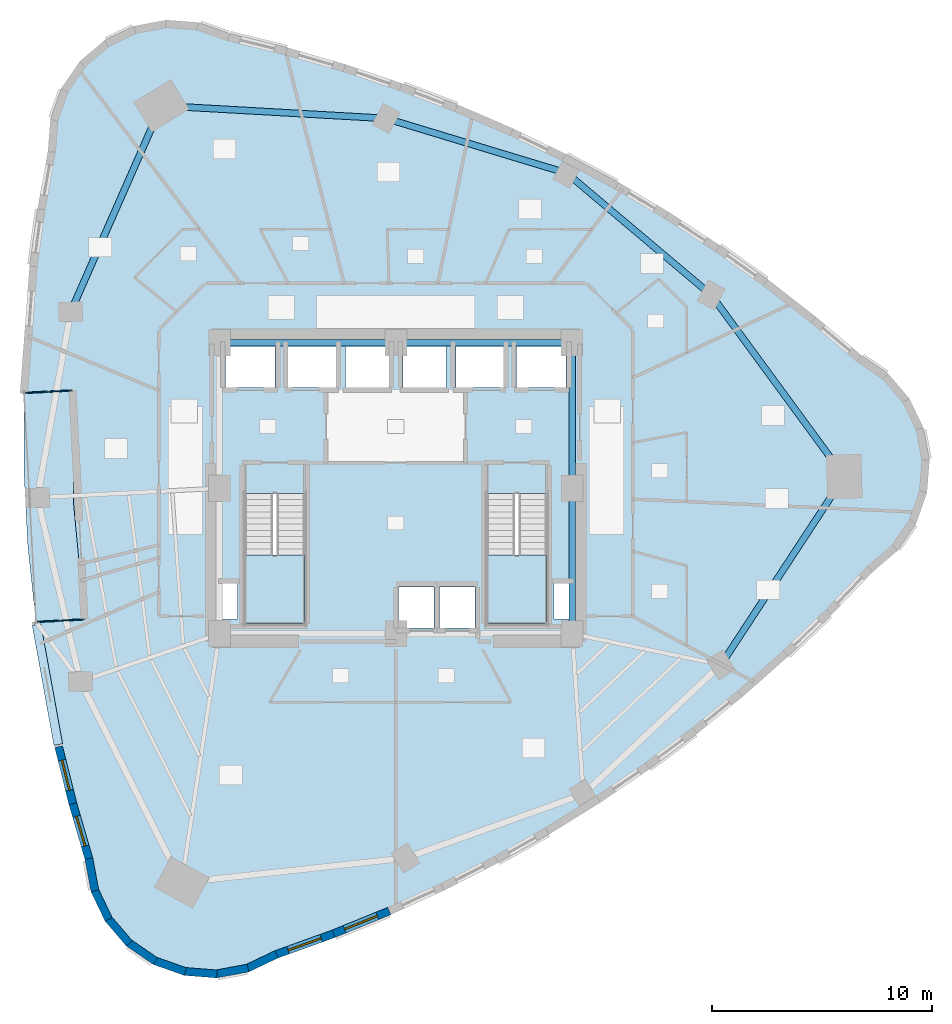
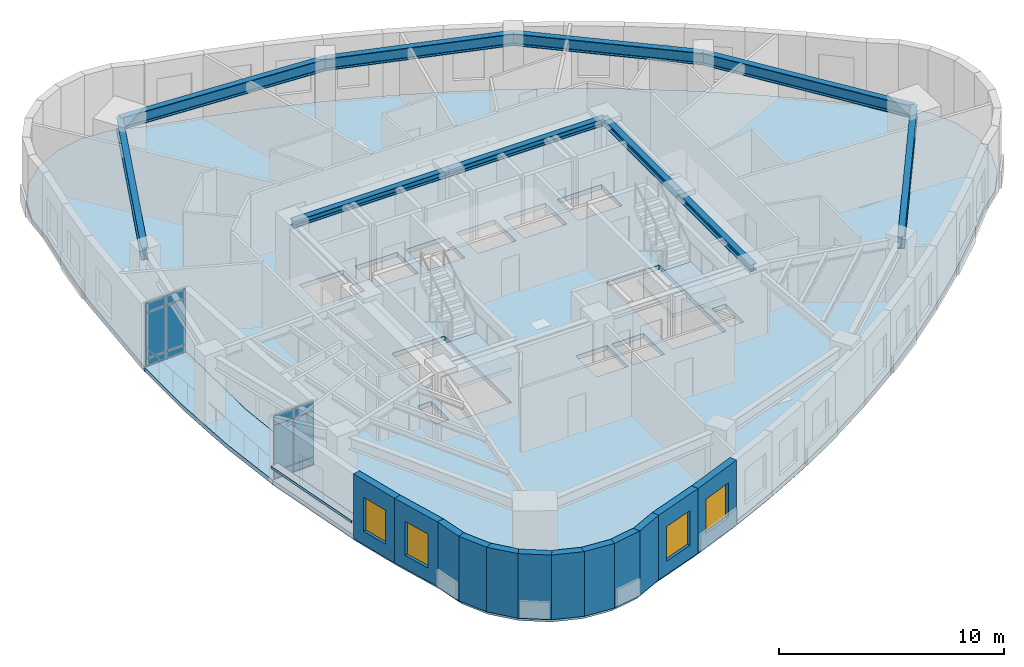
# One storey, part 4 of 12: 13 plates, 12 walls, 10 beams, 4 slabs, 4 windows, 4 openings, 4 elements without a shape of their own.
"""IFC4 building model written with IfcOpenShell, lengths in metres."""

import ifcopenshell
import ifcopenshell.guid

model = None  # the IFC model being written
_history = None  # IfcOwnerHistory: only IFC2X3 demands one
_inside = {}  # id of a spatial element -> (the spatial element, [elements in it])
_under = {}  # id of a project, library or spatial element -> (it, [spatial elements below it])
_declared = {}  # id of a project -> (the project, [libraries it declares])
_typed = {}  # id of a type object -> (the type object, [elements of that type])
_made_of = {}  # id of a material, layer set ... -> (it, [elements and type objects made of it])


def new_model(schema):
    """Start an empty IFC model of exactly this schema.

    Asked for "IFC4X3", IfcOpenShell would pick the latest addendum, in which some entities
    have other attributes; the version numbers below select the first issue.
    IFC2X3 requires an IfcOwnerHistory on every rooted entity: one is made here for all.
    """
    global model, _history
    if schema == "IFC4X3":
        model = ifcopenshell.file(schema_version=(4, 3, 0, 0))
    else:
        model = ifcopenshell.file(schema=schema)
    _inside.clear()
    _under.clear()
    _declared.clear()
    _typed.clear()
    _made_of.clear()
    _history = None
    if model.schema == "IFC2X3":
        org = make("IfcOrganization", Name="unknown")
        user = make(
            "IfcPersonAndOrganization",
            ThePerson=make("IfcPerson", FamilyName="unknown"),
            TheOrganization=org,
        )
        app = make(
            "IfcApplication",
            ApplicationDeveloper=org,
            Version="unknown",
            ApplicationFullName="unknown",
            ApplicationIdentifier="unknown",
        )
        _history = make(
            "IfcOwnerHistory",
            OwningUser=user,
            OwningApplication=app,
            ChangeAction="ADDED",
            CreationDate=0,
        )
    return model


def make(cls, **values):
    """One entity of the class cls with the attributes given. An attribute that is None is left unset."""
    return model.create_entity(
        cls, **{name: value for name, value in values.items() if value is not None}
    )


def rooted(cls, **values):
    """An entity with a GlobalId (a new one), such as an element, a storey or a relation."""
    return make(cls, GlobalId=ifcopenshell.guid.new(), OwnerHistory=_history, **values)


def si_unit(unit_type, name, prefix=None):
    """IfcSIUnit, for example si_unit("LENGTHUNIT", "METRE", prefix="MILLI")."""
    return make("IfcSIUnit", UnitType=unit_type, Prefix=prefix, Name=name)


def assignment(units):
    """IfcUnitAssignment: the units of a project."""
    return None if units is None else make("IfcUnitAssignment", Units=units)


def point(xyz):
    """IfcCartesianPoint."""
    return None if xyz is None else make("IfcCartesianPoint", Coordinates=xyz)


def direction(xyz):
    """IfcDirection."""
    return None if xyz is None else make("IfcDirection", DirectionRatios=xyz)


def frame(location, z_axis=None, x_axis=None):
    """IfcAxis2Placement3D, a coordinate frame: its origin and axes. An axis left out is left unset."""
    return make(
        "IfcAxis2Placement3D",
        Location=point(location),
        Axis=direction(z_axis),
        RefDirection=direction(x_axis),
    )


def frame_2d(location, x_axis=None):
    """IfcAxis2Placement2D, a coordinate frame in the plane: its origin and x axis."""
    return make(
        "IfcAxis2Placement2D", Location=point(location), RefDirection=direction(x_axis)
    )


def origin():
    """The frame at (0, 0, 0) with its axes left unset."""
    return frame((0.0, 0.0, 0.0))


def origin_2d():
    """The frame at (0, 0) in the plane with its x axis left unset."""
    return frame_2d((0.0, 0.0))


def place(relative_to, where):
    """IfcLocalPlacement: puts the frame where relative to a parent placement (None: the world)."""
    return make(
        "IfcLocalPlacement", PlacementRelTo=relative_to, RelativePlacement=where
    )


def context(
    kind, dimensions, precision=None, world=None, true_north=None, identifier=None
):
    """IfcGeometricRepresentationContext, for example the 3D "Model" context."""
    return make(
        "IfcGeometricRepresentationContext",
        ContextIdentifier=identifier,
        ContextType=kind,
        CoordinateSpaceDimension=dimensions,
        Precision=precision,
        WorldCoordinateSystem=world,
        TrueNorth=true_north,
    )


def subcontext(parent, identifier, kind, view, scale=None):
    """IfcGeometricRepresentationSubContext, for example "Body" below "Model"."""
    return make(
        "IfcGeometricRepresentationSubContext",
        ContextIdentifier=identifier,
        ContextType=kind,
        ParentContext=parent,
        TargetScale=scale,
        TargetView=view,
    )


def project(units=None, contexts=None):
    """IfcProject with its units and contexts."""
    return rooted(
        "IfcProject",
        Name="project",
        RepresentationContexts=contexts,
        UnitsInContext=assignment(units),
    )


def spatial(cls, under=None, at=None, **own):
    """A site, building, storey or space (cls), placed at a placement, below another one or the project."""
    s = rooted(cls, ObjectPlacement=at, **own)
    if under is not None:
        _under.setdefault(under.id(), (under, []))[1].append(s)
    return s


def polyline(points):
    """IfcPolyline through the points."""
    return make("IfcPolyline", Points=[point(p) for p in points])


def profile(cls, at=None, kind="AREA", **sizes):
    """A parametric profile (cls). Its sizes go by their IFC names, for example OverallWidth=200.0."""
    return make(cls, ProfileType=kind, Position=at, **sizes)


def rectangle(**sizes):
    """IfcRectangleProfileDef."""
    return profile("IfcRectangleProfileDef", **sizes)


def i_section(**sizes):
    """IfcIShapeProfileDef."""
    return profile("IfcIShapeProfileDef", **sizes)


def outline(outer, holes=None, kind="AREA"):
    """IfcArbitraryClosedProfileDef: a profile drawn as a closed curve; with holes, ...WithVoids."""
    if holes is None:
        return make("IfcArbitraryClosedProfileDef", ProfileType=kind, OuterCurve=outer)
    return make(
        "IfcArbitraryProfileDefWithVoids",
        ProfileType=kind,
        OuterCurve=outer,
        InnerCurves=holes,
    )


def extrude(swept, where, along, depth):
    """IfcExtrudedAreaSolid: the profile swept, set in the frame where, extruded along a direction by depth."""
    return make(
        "IfcExtrudedAreaSolid",
        SweptArea=swept,
        Position=where,
        ExtrudedDirection=direction(along),
        Depth=depth,
    )


def shape(context_of_items, identifier, shape_type, items):
    """IfcShapeRepresentation: the items that make up one representation, for example the "Body"."""
    return make(
        "IfcShapeRepresentation",
        ContextOfItems=context_of_items,
        RepresentationIdentifier=identifier,
        RepresentationType=shape_type,
        Items=items,
    )


def material(Name=None, Category=None):
    """IfcMaterial."""
    return make("IfcMaterial", Name=Name, Category=Category)


def layer(
    of_material, thickness, ventilated=None, Name=None, Category=None, Priority=None
):
    """IfcMaterialLayer: one layer of a wall or slab, of a material (None: an air gap)."""
    return make(
        "IfcMaterialLayer",
        Material=of_material,
        LayerThickness=thickness,
        IsVentilated=ventilated,
        Name=Name,
        Category=Category,
        Priority=Priority,
    )


def layer_set(layers, Name=None):
    """IfcMaterialLayerSet."""
    return make("IfcMaterialLayerSet", MaterialLayers=layers, LayerSetName=Name)


def material_profile(
    of_material, cross_section, Name=None, Category=None, Priority=None
):
    """IfcMaterialProfile: a cross section and its material."""
    return make(
        "IfcMaterialProfile",
        Name=Name,
        Material=of_material,
        Profile=cross_section,
        Priority=Priority,
        Category=Category,
    )


def profile_set(profiles, Name=None, composite=None):
    """IfcMaterialProfileSet."""
    return make(
        "IfcMaterialProfileSet",
        Name=Name,
        MaterialProfiles=profiles,
        CompositeProfile=composite,
    )


def made_of(thing, what):
    """Note that an element or type object is made of a material, layer set ...; save() writes the relation."""
    if what is not None:
        _made_of.setdefault(what.id(), (what, []))[1].append(thing)
    return thing


def type_object(cls, material=None, **own):
    """A type object (cls), such as IfcWallType, which elements share."""
    return made_of(rooted(cls, **own), material)


def element(
    cls,
    number,
    at=None,
    inside=None,
    cuts=None,
    type_object=None,
    material=None,
    context=None,
    identifier="Body",
    shape_type=None,
    held_by="IfcProductDefinitionShape",
    body=None,
    shapes=None,
    **own,
):
    """One element of the class cls, such as IfcWall. Its Tag is "e" and its number.

    at: its placement. inside: the storey or other place that contains it. cuts: it is an
    opening in that element (IfcRelVoidsElement). A single representation is given by context,
    identifier, shape_type and body (its items); several are given by shapes. held_by: the class
    of the entity that holds the representations. save() writes the other relations.
    """
    e = rooted(cls, Tag="e%d" % number, ObjectPlacement=at, **own)
    if body is not None:
        shapes = [shape(context, identifier, shape_type, body)]
    if shapes is not None:
        e.Representation = make(held_by, Representations=shapes)
    if inside is not None:
        _inside.setdefault(inside.id(), (inside, []))[1].append(e)
    if cuts is not None:
        rooted(
            "IfcRelVoidsElement", RelatingBuildingElement=cuts, RelatedOpeningElement=e
        )
    if type_object is not None:
        _typed.setdefault(type_object.id(), (type_object, []))[1].append(e)
    return made_of(e, material)


def fill(opening, filler):
    """IfcRelFillsElement: the door or window that sits in an opening."""
    return rooted(
        "IfcRelFillsElement",
        RelatingOpeningElement=opening,
        RelatedBuildingElement=filler,
    )


def aggregate(whole, parts):
    """IfcRelAggregates: a whole, such as a stair, and the parts it consists of."""
    return rooted("IfcRelAggregates", RelatingObject=whole, RelatedObjects=parts)


def save(model, path):
    """Write the relations noted so far, then the file.

    IfcRelAggregates (storeys below a building ...), IfcRelContainedInSpatialStructure (elements
    in a storey), IfcRelDefinesByType, IfcRelAssociatesMaterial and IfcRelDeclares: one each for
    every whole, place, type object, material and project.
    """
    for whole, parts in _under.values():
        aggregate(whole, parts)
    for where, things in _inside.values():
        rooted(
            "IfcRelContainedInSpatialStructure",
            RelatedElements=things,
            RelatingStructure=where,
        )
    for kind, things in _typed.values():
        rooted("IfcRelDefinesByType", RelatedObjects=things, RelatingType=kind)
    for what, things in _made_of.values():
        rooted("IfcRelAssociatesMaterial", RelatedObjects=things, RelatingMaterial=what)
    for by, libraries in _declared.values():
        rooted("IfcRelDeclares", RelatingContext=by, RelatedDefinitions=libraries)
    model.write(path)


model = new_model("IFC4")

# Units and contexts
model_context = context("Model", 3, precision=1e-05, world=origin(), true_north=direction((0.0, 1.0)))
body_context = subcontext(model_context, "Body", "Model", "MODEL_VIEW")
ifc_project = project(units=[si_unit("LENGTHUNIT", "METRE"), si_unit("AREAUNIT", "SQUARE_METRE"), si_unit("VOLUMEUNIT", "CUBIC_METRE"), si_unit("PLANEANGLEUNIT", "RADIAN"), si_unit("MASSUNIT", "GRAM", prefix="KILO")], contexts=[model_context])

# Site, building, storey
site_placement = place(None, origin())
site = spatial("IfcSite", under=ifc_project, at=site_placement, CompositionType="ELEMENT")
building_placement = place(site_placement, origin())
building = spatial("IfcBuilding", under=site, at=building_placement, Name="Ndelora Gate Hotel", CompositionType="ELEMENT")
storey_placement = place(building_placement, frame((0.0, 0.0, 131.0)))
storey = spatial("IfcBuildingStorey", under=building, at=storey_placement, Name="L32", CompositionType="ELEMENT", Elevation=131.0)

# Beams
ifc_material_1 = material(Name="Steel S355", Category="steel")
ifc_material_profile_1 = material_profile(ifc_material_1, i_section(OverallWidth=0.300048828125, OverallDepth=0.360107421875, WebThickness=0.012451171875, FlangeThickness=0.0224609375, FilletRadius=0.027099609375, at=origin_2d()), Name="HEB 360")
ifc_profile_set_1 = profile_set([ifc_material_profile_1], Name="Steel S355")
beam_type_1 = type_object("IfcBeamType", Name="BM-CORE-360", PredefinedType="BEAM", material=ifc_profile_set_1)
for number, where, z_axis, x_axis, name in (
    (1, (-8.0, 6.60009765625, 3.320068359375), (1.0, 0.0, 0.0), (0.0, 1.0, 0.0), "L32 Core Tie Girder CC7-CC6"),
    (2, (0.0, 6.60009765625, 3.320068359375), (1.0, 0.0, 0.0), (0.0, 1.0, 0.0), "L32 Core Tie Girder CC6-CC5"),
):
    element("IfcBeam", number, at=place(storey_placement, frame(where, z_axis=z_axis, x_axis=x_axis)), inside=storey, type_object=beam_type_1, Name=name, PredefinedType="BEAM", context=body_context, shape_type="SweptSolid", body=[
        extrude(i_section(OverallWidth=0.300048828125, OverallDepth=0.360107421875, WebThickness=0.012451171875, FlangeThickness=0.0224609375, FilletRadius=0.027099609375, at=origin_2d()), origin(), (0.0, 0.0, 1.0), 8.0),
    ])
for number, where, z_axis, x_axis, name in (
    (3, (8.0, -6.60009765625, 3.320068359375), (0.0, 1.0, 0.0), (-1.0, 0.0, 0.0), "L32 Core Tie Girder CC3-CC4"),
    (4, (8.0, 0.0, 3.320068359375), (0.0, 1.0, 0.0), (-1.0, 0.0, 0.0), "L32 Core Tie Girder CC4-CC5"),
):
    element("IfcBeam", number, at=place(storey_placement, frame(where, z_axis=z_axis, x_axis=x_axis)), inside=storey, type_object=beam_type_1, Name=name, PredefinedType="BEAM", context=body_context, shape_type="SweptSolid", body=[
        extrude(i_section(OverallWidth=0.300048828125, OverallDepth=0.360107421875, WebThickness=0.012451171875, FlangeThickness=0.0224609375, FilletRadius=0.027099609375, at=origin_2d()), origin(), (0.0, 0.0, 1.0), 6.60009765625),
    ])
ifc_material_profile_2 = material_profile(ifc_material_1, i_section(OverallWidth=0.300048828125, OverallDepth=0.64990234375, WebThickness=0.01611328125, FlangeThickness=0.031005859375, FilletRadius=0.027099609375, at=origin_2d()), Name="HEB 650")
ifc_profile_set_2 = profile_set([ifc_material_profile_2], Name="Steel S355")
beam_type_2 = type_object("IfcBeamType", Name="BM-RING-650", PredefinedType="SPANDREL", material=ifc_profile_set_2)
beam_1_placement = place(storey_placement, frame((-10.63330078125, 17.351806640625, 3.175048828125), z_axis=(-0.402852396707, -0.915264959707, 0.0), x_axis=(0.915264959707, -0.402852396707, 0.0)))
element("IfcBeam", 5, at=beam_1_placement, inside=storey, type_object=beam_type_2, Name="L32 Perimeter Spandrel Girder 1", PredefinedType="SPANDREL", context=body_context, shape_type="SweptSolid", body=[
    extrude(i_section(OverallWidth=0.300048828125, OverallDepth=0.64990234375, WebThickness=0.01611328125, FlangeThickness=0.031005859375, FilletRadius=0.027099609375, at=origin_2d()), origin(), (0.0, 0.0, 1.0), 10.21044921875),
])
for number, where, z_axis, x_axis, name in (
    (6, (14.74658203125, -8.006591796875, 3.175048828125), (0.548194123818, 0.836351123998, 0.0), (-0.836351123998, 0.548194123818, 0.0), "L32 Perimeter Spandrel Girder 8"),
    (7, (20.34375, 0.53271484375, 3.175048828125), (-0.591229932094, 0.806503048597, 0.0), (-0.806503048597, -0.591229932094, 0.0), "L32 Perimeter Spandrel Girder 9"),
):
    element("IfcBeam", number, at=place(storey_placement, frame(where, z_axis=z_axis, x_axis=x_axis)), inside=storey, type_object=beam_type_2, Name=name, PredefinedType="SPANDREL", context=body_context, shape_type="SweptSolid", body=[
        extrude(i_section(OverallWidth=0.300048828125, OverallDepth=0.64990234375, WebThickness=0.01611328125, FlangeThickness=0.031005859375, FilletRadius=0.027099609375, at=origin_2d()), origin(), (0.0, 0.0, 1.0), 10.210205078125),
    ])
beam_2_placement = place(storey_placement, frame((14.30712890625, 8.767333984375, 3.175048828125), z_axis=(-0.76440691948, 0.644734101356, 0.0), x_axis=(-0.644734101356, -0.76440691948, 0.0)))
element("IfcBeam", 8, at=beam_2_placement, inside=storey, type_object=beam_type_2, Name="L32 Perimeter Spandrel Girder 10", PredefinedType="SPANDREL", context=body_context, shape_type="SweptSolid", body=[
    extrude(i_section(OverallWidth=0.300048828125, OverallDepth=0.64990234375, WebThickness=0.01611328125, FlangeThickness=0.031005859375, FilletRadius=0.027099609375, at=origin_2d()), origin(), (0.0, 0.0, 1.0), 8.566162109375),
])
beam_3_placement = place(storey_placement, frame((7.759033203125, 14.290283203125, 3.175048828125), z_axis=(-0.957030396662, 0.289987620192, 0.0), x_axis=(-0.289987620192, -0.957030396662, 0.0)))
element("IfcBeam", 9, at=beam_3_placement, inside=storey, type_object=beam_type_2, Name="L32 Perimeter Spandrel Girder 11", PredefinedType="SPANDREL", context=body_context, shape_type="SweptSolid", body=[
    extrude(i_section(OverallWidth=0.300048828125, OverallDepth=0.64990234375, WebThickness=0.01611328125, FlangeThickness=0.031005859375, FilletRadius=0.027099609375, at=origin_2d()), origin(), (0.0, 0.0, 1.0), 8.56640625),
])
beam_4_placement = place(storey_placement, frame((-0.439208984375, 16.7744140625, 3.175048828125), z_axis=(-0.998399808671, 0.056549288648, 0.0), x_axis=(-0.056549288648, -0.998399808671, 0.0)))
element("IfcBeam", 10, at=beam_4_placement, inside=storey, type_object=beam_type_2, Name="L32 Perimeter Spandrel Girder 12", PredefinedType="SPANDREL", context=body_context, shape_type="SweptSolid", body=[
    extrude(i_section(OverallWidth=0.300048828125, OverallDepth=0.64990234375, WebThickness=0.01611328125, FlangeThickness=0.031005859375, FilletRadius=0.027099609375, at=origin_2d()), origin(), (0.0, 0.0, 1.0), 10.21044921875),
])

# Curtain wall, plates
ifc_material_2 = material(Name="Bronze Anodised Unitised Aluminium and Low-E Glass", Category="aluminium")
ifc_layer_1 = layer(ifc_material_2, 0.199951171875)
ifc_layer_set_1 = layer_set([ifc_layer_1], Name="Bronze Anodised Unitised Aluminium and Low-E Glass")
curtain_wall_type = type_object("IfcCurtainWallType", Name="CW-SYS-3", PredefinedType="NOTDEFINED", material=ifc_layer_set_1)
curtain_wall_1_placement = place(storey_placement, origin())
curtain_wall_1 = element("IfcCurtainWall", 11, at=curtain_wall_1_placement, inside=storey, type_object=curtain_wall_type, Name="L32 Sky-Garden Loggia Side Curtain Wall CW3-1", PredefinedType="NOTDEFINED")
ifc_material_3 = material(Name="Solar-Control Low-E Insulated Glazing", Category="glass")
ifc_layer_2 = layer(ifc_material_3, 0.048095703125)
ifc_layer_set_2 = layer_set([ifc_layer_2], Name="Solar-Control Low-E Insulated Glazing")
plate_type_1 = type_object("IfcPlateType", Name="PL-CW-GLZ36", PredefinedType="CURTAIN_PANEL", material=ifc_layer_set_2)
plate_1_placement = place(storey_placement, frame((-15.2333984375, 4.40869140625, 0.05908203125), z_axis=(0.0, 0.0, 1.0), x_axis=(-0.998630482257, -0.052317873695, 0.0)))
plate_1 = element("IfcPlate", 12, at=plate_1_placement, type_object=plate_type_1, Name="CW3 panel 1.1", PredefinedType="CURTAIN_PANEL", context=body_context, shape_type="SweptSolid", body=[
    extrude(rectangle(XDim=1.014404296875, YDim=0.048095703125, at=origin_2d()), origin(), (0.0, 0.0, 1.0), 0.364501953125),
])
plate_2_placement = place(storey_placement, frame((-15.2333984375, 4.40869140625, 0.4765625), z_axis=(0.0, 0.0, 1.0), x_axis=(-0.998630482257, -0.052317873695, 0.0)))
plate_2 = element("IfcPlate", 13, at=plate_2_placement, type_object=plate_type_1, Name="CW3 panel 1.2", PredefinedType="CURTAIN_PANEL", context=body_context, shape_type="SweptSolid", body=[
    extrude(rectangle(XDim=1.014404296875, YDim=0.048095703125, at=origin_2d()), origin(), (0.0, 0.0, 1.0), 2.447021484375),
])
plate_3_placement = place(storey_placement, frame((-15.2333984375, 4.40869140625, 2.9765625), z_axis=(0.0, 0.0, 1.0), x_axis=(-0.998630482257, -0.052317873695, 0.0)))
plate_3 = element("IfcPlate", 14, at=plate_3_placement, type_object=plate_type_1, Name="CW3 panel 1.3", PredefinedType="CURTAIN_PANEL", context=body_context, shape_type="SweptSolid", body=[
    extrude(rectangle(XDim=1.014404296875, YDim=0.048095703125, at=origin_2d()), origin(), (0.0, 0.0, 1.0), 0.464599609375),
])
plate_4_placement = place(storey_placement, frame((-16.299560546875, 4.35302734375, 0.05908203125), z_axis=(0.0, 0.0, 1.0), x_axis=(-0.998630482257, -0.052317873695, 0.0)))
plate_4 = element("IfcPlate", 15, at=plate_4_placement, type_object=plate_type_1, Name="CW3 panel 2.1", PredefinedType="CURTAIN_PANEL", context=body_context, shape_type="SweptSolid", body=[
    extrude(rectangle(XDim=1.014404296875, YDim=0.048095703125, at=origin_2d()), origin(), (0.0, 0.0, 1.0), 0.364501953125),
])
plate_5_placement = place(storey_placement, frame((-16.299560546875, 4.35302734375, 0.4765625), z_axis=(0.0, 0.0, 1.0), x_axis=(-0.998630482257, -0.052317873695, 0.0)))
plate_5 = element("IfcPlate", 16, at=plate_5_placement, type_object=plate_type_1, Name="CW3 panel 2.2", PredefinedType="CURTAIN_PANEL", context=body_context, shape_type="SweptSolid", body=[
    extrude(rectangle(XDim=1.014404296875, YDim=0.048095703125, at=origin_2d()), origin(), (0.0, 0.0, 1.0), 2.447021484375),
])
plate_6_placement = place(storey_placement, frame((-16.299560546875, 4.35302734375, 2.9765625), z_axis=(0.0, 0.0, 1.0), x_axis=(-0.998630482257, -0.052317873695, 0.0)))
plate_6 = element("IfcPlate", 17, at=plate_6_placement, type_object=plate_type_1, Name="CW3 panel 2.3", PredefinedType="CURTAIN_PANEL", context=body_context, shape_type="SweptSolid", body=[
    extrude(rectangle(XDim=1.014404296875, YDim=0.048095703125, at=origin_2d()), origin(), (0.0, 0.0, 1.0), 0.464599609375),
])
aggregate(curtain_wall_1, [plate_1, plate_2, plate_3, plate_4, plate_5, plate_6])

curtain_wall_2_placement = place(storey_placement, origin())
curtain_wall_2 = element("IfcCurtainWall", 18, at=curtain_wall_2_placement, inside=storey, type_object=curtain_wall_type, Name="L32 Sky-Garden Loggia Side Curtain Wall CW3-2", PredefinedType="NOTDEFINED")
plate_7_placement = place(storey_placement, frame((-15.755126953125, -6.032958984375, 0.05908203125), z_axis=(0.0, 0.0, 1.0), x_axis=(0.998628106419, 0.052363203389, 0.0)))
plate_7 = element("IfcPlate", 19, at=plate_7_placement, type_object=plate_type_1, Name="CW3 panel 1.1", PredefinedType="CURTAIN_PANEL", context=body_context, shape_type="SweptSolid", body=[
    extrude(rectangle(XDim=1.014404296875, YDim=0.048095703125, at=origin_2d()), origin(), (0.0, 0.0, 1.0), 0.364501953125),
])
plate_8_placement = place(storey_placement, frame((-15.755126953125, -6.032958984375, 0.4765625), z_axis=(0.0, 0.0, 1.0), x_axis=(0.998628106419, 0.052363203389, 0.0)))
plate_8 = element("IfcPlate", 20, at=plate_8_placement, type_object=plate_type_1, Name="CW3 panel 1.2", PredefinedType="CURTAIN_PANEL", context=body_context, shape_type="SweptSolid", body=[
    extrude(rectangle(XDim=1.014404296875, YDim=0.048095703125, at=origin_2d()), origin(), (0.0, 0.0, 1.0), 2.447021484375),
])
plate_9_placement = place(storey_placement, frame((-15.755126953125, -6.032958984375, 2.9765625), z_axis=(0.0, 0.0, 1.0), x_axis=(0.998628106419, 0.052363203389, 0.0)))
plate_9 = element("IfcPlate", 21, at=plate_9_placement, type_object=plate_type_1, Name="CW3 panel 1.3", PredefinedType="CURTAIN_PANEL", context=body_context, shape_type="SweptSolid", body=[
    extrude(rectangle(XDim=1.014404296875, YDim=0.048095703125, at=origin_2d()), origin(), (0.0, 0.0, 1.0), 0.464599609375),
])
plate_10_placement = place(storey_placement, frame((-14.689208984375, -5.97705078125, 0.05908203125), z_axis=(0.0, 0.0, 1.0), x_axis=(0.998628106419, 0.052363203389, 0.0)))
plate_10 = element("IfcPlate", 22, at=plate_10_placement, type_object=plate_type_1, Name="CW3 panel 2.1", PredefinedType="CURTAIN_PANEL", context=body_context, shape_type="SweptSolid", body=[
    extrude(rectangle(XDim=1.014404296875, YDim=0.048095703125, at=origin_2d()), origin(), (0.0, 0.0, 1.0), 0.364501953125),
])
plate_11_placement = place(storey_placement, frame((-14.689208984375, -5.97705078125, 0.4765625), z_axis=(0.0, 0.0, 1.0), x_axis=(0.998628106419, 0.052363203389, 0.0)))
plate_11 = element("IfcPlate", 23, at=plate_11_placement, type_object=plate_type_1, Name="CW3 panel 2.2", PredefinedType="CURTAIN_PANEL", context=body_context, shape_type="SweptSolid", body=[
    extrude(rectangle(XDim=1.014404296875, YDim=0.048095703125, at=origin_2d()), origin(), (0.0, 0.0, 1.0), 2.447021484375),
])
plate_12_placement = place(storey_placement, frame((-14.689208984375, -5.97705078125, 2.9765625), z_axis=(0.0, 0.0, 1.0), x_axis=(0.998628106419, 0.052363203389, 0.0)))
plate_12 = element("IfcPlate", 24, at=plate_12_placement, type_object=plate_type_1, Name="CW3 panel 2.3", PredefinedType="CURTAIN_PANEL", context=body_context, shape_type="SweptSolid", body=[
    extrude(rectangle(XDim=1.014404296875, YDim=0.048095703125, at=origin_2d()), origin(), (0.0, 0.0, 1.0), 0.464599609375),
])
aggregate(curtain_wall_2, [plate_7, plate_8, plate_9, plate_10, plate_11, plate_12])

# Plate
ifc_material_4 = material(Name="Precast concrete C40/50", Category="concrete")
ifc_layer_3 = layer(ifc_material_4, 0.125)
ifc_layer_set_3 = layer_set([ifc_layer_3], Name="Precast concrete C40/50")
plate_type_2 = type_object("IfcPlateType", Name="PL-SILL-120", PredefinedType="USERDEFINED", material=ifc_layer_set_3)
plate_13_placement = place(storey_placement, frame((-15.804443359375, -8.904541015625, 0.78759765625), z_axis=(0.0, 0.0, 1.0), x_axis=(-0.17863049206, 0.983916229822, 0.0)))
element("IfcPlate", 25, at=plate_13_placement, inside=storey, type_object=plate_type_2, Name="L32 Streamline Precast Ribbon Sill 16", ObjectType="RIBBON_SILL", PredefinedType="USERDEFINED", context=body_context, shape_type="SweptSolid", body=[
    extrude(rectangle(XDim=5.527099609375, YDim=0.39990234375, at=origin_2d()), origin(), (0.0, 0.0, 1.0), 0.125),
])

# Stair, slab
stair_type = type_object("IfcStairType", Name="STR-DOG-CORE", PredefinedType="HALF_TURN_STAIR", material=ifc_material_4)
stair_1_placement = place(storey_placement, origin())
stair_1 = element("IfcStair", 26, at=stair_1_placement, inside=storey, type_object=stair_type, Name="L32 Protected Core Exit Stair ST4", PredefinedType="HALF_TURN_STAIR")
ifc_layer_4 = layer(ifc_material_4, 0.219970703125)
ifc_layer_set_4 = layer_set([ifc_layer_4], Name="Precast concrete C40/50")
slab_type_1 = type_object("IfcSlabType", Name="SL-LAND-220", PredefinedType="LANDING", material=ifc_layer_set_4)
slab_1_placement = place(storey_placement, frame((0.0, 0.0, 1.675048828125)))
slab_1 = element("IfcSlab", 27, at=slab_1_placement, type_object=slab_type_1, Name="ST4 landing 1", PredefinedType="LANDING", context=body_context, shape_type="SweptSolid", body=[
    extrude(outline(polyline([(-6.85009765625, -3.030029296875), (-6.85009765625, -6.14990234375), (-4.1298828125, -6.14990234375), (-4.1298828125, -3.030029296875), (-6.85009765625, -3.030029296875)])), origin(), (0.0, 0.0, 1.0), 0.199951171875),
])
aggregate(stair_1, [slab_1])

stair_2_placement = place(storey_placement, origin())
stair_2 = element("IfcStair", 28, at=stair_2_placement, inside=storey, type_object=stair_type, Name="L32 Protected Core Exit Stair ST5", PredefinedType="HALF_TURN_STAIR")
slab_2_placement = place(storey_placement, frame((0.0, 0.0, 1.675048828125)))
slab_2 = element("IfcSlab", 29, at=slab_2_placement, type_object=slab_type_1, Name="ST5 landing 1", PredefinedType="LANDING", context=body_context, shape_type="SweptSolid", body=[
    extrude(outline(polyline([(4.1298828125, -3.030029296875), (4.1298828125, -6.14990234375), (6.85009765625, -6.14990234375), (6.85009765625, -3.030029296875), (4.1298828125, -3.030029296875)])), origin(), (0.0, 0.0, 1.0), 0.199951171875),
])
aggregate(stair_2, [slab_2])

# Slabs
ifc_layer_5 = layer(ifc_material_4, 0.239990234375)
ifc_layer_set_5 = layer_set([ifc_layer_5], Name="Precast concrete C40/50")
slab_type_2 = type_object("IfcSlabType", Name="SL-TER-240", PredefinedType="FLOOR", material=ifc_layer_set_5)
slab_3_placement = place(storey_placement, frame((0.0, 0.0, -0.239990234375)))
element("IfcSlab", 30, at=slab_3_placement, inside=storey, type_object=slab_type_2, Name="L32 Sky Garden Loggia Terrace Slab", PredefinedType="FLOOR", context=body_context, shape_type="SweptSolid", body=[
    extrude(outline(polyline([(-14.66796875, 4.4384765625), (-16.864990234375, 4.3232421875), (-16.875, 0.885986328125), (-16.689697265625, -2.64501953125), (-16.32080078125, -6.0625), (-14.123779296875, -5.947265625), (-14.610107421875, -0.765625), (-14.66796875, 4.4384765625)])), origin(), (0.0, 0.0, 1.0), 0.239990234375),
])
ifc_material_5 = material(Name="Concrete C40/50", Category="concrete")
ifc_layer_6 = layer(ifc_material_5, 0.25)
ifc_layer_set_6 = layer_set([ifc_layer_6], Name="Concrete C40/50")
slab_type_3 = type_object("IfcSlabType", Name="SL-TWR-250", PredefinedType="FLOOR", material=ifc_layer_set_6)
slab_4_placement = place(storey_placement, frame((0.0, 0.0, -0.25)))
element("IfcSlab", 31, at=slab_4_placement, inside=storey, type_object=slab_type_3, Name="L32 Structural Floor Slab", PredefinedType="FLOOR", context=body_context, shape_type="SweptSolid", body=[
    extrude(outline(polyline([(-7.61181640625, 20.466552734375), (-8.965087890625, 20.94580078125), (-10.396484375, 21.05859375), (-11.808349609375, 20.796875), (-13.104248046875, 20.1787109375), (-14.196044921875, 19.24609375), (-15.00927734375, 18.06298828125), (-15.488525390625, 16.70947265625), (-15.60107421875, 15.2783203125), (-16.069091796875, 12.67822265625), (-16.4326171875, 10.083984375), (-16.864990234375, 4.3232421875), (-14.66796875, 4.4384765625), (-14.610107421875, -0.765625), (-14.123779296875, -5.947265625), (-16.32080078125, -6.0625), (-15.288330078125, -11.746337890625), (-14.656005859375, -14.28857421875), (-13.918701171875, -16.8251953125), (-13.656982421875, -18.237060546875), (-13.038818359375, -19.532958984375), (-12.1064453125, -20.624755859375), (-10.923095703125, -21.43798828125), (-9.569580078125, -21.917236328125), (-8.138427734375, -22.02978515625), (-6.7265625, -21.768310546875), (-5.4306640625, -21.150146484375), (-2.8427734375, -20.21630859375), (-0.31689453125, -19.18701171875), (2.14697265625, -18.062255859375), (4.548828125, -16.842041015625), (6.888671875, -15.5263671875), (9.16650390625, -14.114990234375), (11.382080078125, -12.608154296875), (13.535888671875, -11.005859375), (15.62744140625, -9.30810546875), (17.6572265625, -7.5146484375), (19.624755859375, -5.625732421875), (21.530517578125, -3.641357421875), (22.622314453125, -2.708740234375), (23.435302734375, -1.525634765625), (23.914794921875, -0.172119140625), (24.02734375, 1.25927734375), (23.765625, 2.6708984375), (23.147705078125, 3.966796875), (22.215087890625, 5.05859375), (21.03173828125, 5.871826171875), (18.92919921875, 7.646240234375), (16.77490234375, 9.319091796875), (14.569091796875, 10.890380859375), (12.311279296875, 12.3603515625), (10.001708984375, 13.728759765625), (7.640625, 14.995849609375), (5.227783203125, 16.161376953125), (2.763427734375, 17.225341796875), (0.247314453125, 18.187744140625), (-2.32080078125, 19.048828125), (-4.9404296875, 19.808349609375), (-7.61181640625, 20.466552734375)]), holes=[polyline([(-6.85009765625, -0.22998046875), (-6.85009765625, -6.14990234375), (-4.1298828125, -6.14990234375), (-4.1298828125, -0.22998046875), (-6.85009765625, -0.22998046875)]), polyline([(4.1298828125, -0.22998046875), (4.1298828125, -6.14990234375), (6.85009765625, -6.14990234375), (6.85009765625, -0.22998046875), (4.1298828125, -0.22998046875)]), polyline([(-7.72998046875, 4.570068359375), (-5.469970703125, 4.570068359375), (-5.469970703125, 6.429931640625), (-7.72998046875, 6.429931640625), (-7.72998046875, 4.570068359375)]), polyline([(5.469970703125, 4.570068359375), (7.72998046875, 4.570068359375), (7.72998046875, 6.429931640625), (5.469970703125, 6.429931640625), (5.469970703125, 4.570068359375)]), polyline([(-4.8798828125, 4.570068359375), (-2.719970703125, 4.570068359375), (-2.719970703125, 6.429931640625), (-4.8798828125, 6.429931640625), (-4.8798828125, 4.570068359375)]), polyline([(2.719970703125, 4.570068359375), (4.8798828125, 4.570068359375), (4.8798828125, 6.429931640625), (2.719970703125, 6.429931640625), (2.719970703125, 4.570068359375)]), polyline([(0.1201171875, -6.330078125), (1.739990234375, -6.330078125), (1.739990234375, -4.469970703125), (0.1201171875, -4.469970703125), (0.1201171875, -6.330078125)]), polyline([(1.97998046875, -6.330078125), (3.60009765625, -6.330078125), (3.60009765625, -4.469970703125), (1.97998046875, -4.469970703125), (1.97998046875, -6.330078125)]), polyline([(-2.280029296875, 4.570068359375), (-0.320068359375, 4.570068359375), (-0.320068359375, 6.429931640625), (-2.280029296875, 6.429931640625), (-2.280029296875, 4.570068359375)]), polyline([(0.320068359375, 4.570068359375), (2.280029296875, 4.570068359375), (2.280029296875, 6.429931640625), (0.320068359375, 6.429931640625), (0.320068359375, 4.570068359375)]), polyline([(-7.89990234375, -5.919921875), (-7.179931640625, -5.919921875), (-7.179931640625, -4.320068359375), (-7.89990234375, -4.320068359375), (-7.89990234375, -5.919921875)]), polyline([(7.179931640625, -5.919921875), (7.89990234375, -5.919921875), (7.89990234375, -4.320068359375), (7.179931640625, -4.320068359375), (7.179931640625, -5.919921875)])]), origin(), (0.0, 0.0, 1.0), 0.25),
])

# Wall, opening, window
ifc_material_6 = material(Name="Clay Brick Masonry", Category="masonry")
ifc_layer_7 = layer(ifc_material_6, 0.360107421875)
ifc_layer_set_7 = layer_set([ifc_layer_7], Name="Clay Brick Masonry")
wall_type = type_object("IfcWallType", Name="WL-BRICK-360", PredefinedType="SOLIDWALL", material=ifc_layer_set_7)
wall_1_placement = place(storey_placement, frame((-14.64990234375, -14.312744140625, 0.0), z_axis=(0.0, 0.0, 1.0), x_axis=(-0.24143802429, 0.97041624081, 0.0)))
wall_1 = element("IfcWall", 32, at=wall_1_placement, inside=storey, type_object=wall_type, Name="L32 Tower Brick Pier-and-Spandrel Wall TWR-17", PredefinedType="SOLIDWALL", context=body_context, shape_type="SweptSolid", body=[
    extrude(rectangle(XDim=2.66943359375, YDim=0.360107421875, at=frame_2d((1.334716796875, 0.0))), origin(), (0.0, 0.0, 1.0), 3.5),
])
opening_1_placement = place(wall_1_placement, frame((0.634765625, 0.0, 0.719970703125)))
opening_1 = element("IfcOpeningElement", 33, at=opening_1_placement, cuts=wall_1, Name="Opening W02", PredefinedType="OPENING", context=body_context, shape_type="SweptSolid", body=[
    extrude(rectangle(XDim=1.39990234375, YDim=1.840087890625, at=frame_2d((0.699951171875, 0.919921875))), frame((0.0, 0.18994140625, 0.0), z_axis=(0.0, -1.0, 0.0), x_axis=(1.0, 0.0, 0.0)), (0.0, 0.0, 1.0), 0.380126953125),
])
ifc_material_7 = material(Name="Insulated Low-E Double Glazing in Bronze Aluminium Frame", Category="aluminium")
window_type_1 = type_object("IfcWindowType", Name="WN-DEEP-1400", PartitioningType="SINGLE_PANEL", PredefinedType="WINDOW", material=ifc_material_7)
window_1_placement = place(opening_1_placement, origin())
window_1 = element("IfcWindow", 34, at=window_1_placement, inside=storey, type_object=window_type_1, Name="L32 Deep-Set Brick-Pier Window W02", OverallHeight=1.840087890625, OverallWidth=1.39990234375, PartitioningType="SINGLE_PANEL", PredefinedType="WINDOW", context=body_context, shape_type="SweptSolid", body=[
    extrude(rectangle(XDim=1.39990234375, YDim=1.840087890625, at=frame_2d((0.699951171875, 0.919921875))), frame((0.0, 0.030029296875, 0.0), z_axis=(0.0, -1.0, 0.0), x_axis=(1.0, 0.0, 0.0)), (0.0, 0.0, 1.0), 0.06005859375),
])
fill(opening_1, window_1)

wall_2_placement = place(storey_placement, frame((-13.91162109375, -16.84912109375, 0.0), z_axis=(0.0, 0.0, 1.0), x_axis=(-0.279174454366, 0.960240399082, 0.0)))
wall_2 = element("IfcWall", 35, at=wall_2_placement, inside=storey, type_object=wall_type, Name="L32 Tower Brick Pier-and-Spandrel Wall TWR-18", PredefinedType="SOLIDWALL", context=body_context, shape_type="SweptSolid", body=[
    extrude(rectangle(XDim=2.691650390625, YDim=0.360107421875, at=frame_2d((1.345703125, 0.0))), origin(), (0.0, 0.0, 1.0), 3.5),
])
opening_2_placement = place(wall_2_placement, frame((0.645751953125, 0.0, 0.719970703125)))
opening_2 = element("IfcOpeningElement", 36, at=opening_2_placement, cuts=wall_2, Name="Opening W02", PredefinedType="OPENING", context=body_context, shape_type="SweptSolid", body=[
    extrude(rectangle(XDim=1.39990234375, YDim=1.840087890625, at=frame_2d((0.699951171875, 0.919921875))), frame((0.0, 0.18994140625, 0.0), z_axis=(0.0, -1.0, 0.0), x_axis=(1.0, 0.0, 0.0)), (0.0, 0.0, 1.0), 0.380126953125),
])
window_2_placement = place(opening_2_placement, origin())
window_2 = element("IfcWindow", 37, at=window_2_placement, inside=storey, type_object=window_type_1, Name="L32 Deep-Set Brick-Pier Window W02", OverallHeight=1.840087890625, OverallWidth=1.39990234375, PartitioningType="SINGLE_PANEL", PredefinedType="WINDOW", context=body_context, shape_type="SweptSolid", body=[
    extrude(rectangle(XDim=1.39990234375, YDim=1.840087890625, at=frame_2d((0.699951171875, 0.919921875))), frame((0.0, 0.030029296875, 0.0), z_axis=(0.0, -1.0, 0.0), x_axis=(1.0, 0.0, 0.0)), (0.0, 0.0, 1.0), 0.06005859375),
])
fill(opening_2, window_2)

# Walls
wall_3_placement = place(storey_placement, frame((-13.65234375, -18.26171875, 0.0), z_axis=(0.0, 0.0, 1.0), x_axis=(-0.18235397995, 0.983232945947, 0.0)))
element("IfcWall", 38, at=wall_3_placement, inside=storey, type_object=wall_type, Name="L32 Tower Brick Pier-and-Spandrel Wall TWR-19", PredefinedType="SOLIDWALL", context=body_context, shape_type="SweptSolid", body=[
    extrude(rectangle(XDim=1.486083984375, YDim=0.360107421875, at=frame_2d((0.7431640625, 0.0))), origin(), (0.0, 0.0, 1.0), 3.5),
])
for number, where, z_axis, x_axis, name in (
    (39, (-13.028076171875, -19.555419921875, 0.0), (0.0, 0.0, 1.0), (-0.430507535938, 0.902586982789, 0.0), "L32 Tower Brick Pier-and-Spandrel Wall TWR-20"),
    (40, (-12.090087890625, -20.643798828125, 0.0), (0.0, 0.0, 1.0), (-0.649477934003, 0.760380439809, 0.0), "L32 Tower Brick Pier-and-Spandrel Wall TWR-21"),
):
    element("IfcWall", number, at=place(storey_placement, frame(where, z_axis=z_axis, x_axis=x_axis)), inside=storey, type_object=wall_type, Name=name, PredefinedType="SOLIDWALL", context=body_context, shape_type="SweptSolid", body=[
        extrude(rectangle(XDim=1.48583984375, YDim=0.360107421875, at=frame_2d((0.742919921875, 0.0))), origin(), (0.0, 0.0, 1.0), 3.5),
    ])
wall_4_placement = place(storey_placement, frame((-10.902587890625, -21.4521484375, 0.0), z_axis=(0.0, 0.0, 1.0), x_axis=(-0.824104250472, 0.566438155808, 0.0)))
element("IfcWall", 41, at=wall_4_placement, inside=storey, type_object=wall_type, Name="L32 Tower Brick Pier-and-Spandrel Wall TWR-22", PredefinedType="SOLIDWALL", context=body_context, shape_type="SweptSolid", body=[
    extrude(rectangle(XDim=1.485595703125, YDim=0.360107421875, at=frame_2d((0.74267578125, 0.0))), origin(), (0.0, 0.0, 1.0), 3.5),
])
wall_5_placement = place(storey_placement, frame((-9.546142578125, -21.925537109375, 0.0), z_axis=(0.0, 0.0, 1.0), x_axis=(-0.942671384708, 0.33372243025, 0.0)))
element("IfcWall", 42, at=wall_5_placement, inside=storey, type_object=wall_type, Name="L32 Tower Brick Pier-and-Spandrel Wall TWR-23", PredefinedType="SOLIDWALL", context=body_context, shape_type="SweptSolid", body=[
    extrude(rectangle(XDim=1.48583984375, YDim=0.360107421875, at=frame_2d((0.742919921875, 0.0))), origin(), (0.0, 0.0, 1.0), 3.5),
])
wall_6_placement = place(storey_placement, frame((-8.113525390625, -22.03173828125, 0.0), z_axis=(0.0, 0.0, 1.0), x_axis=(-0.996922531952, 0.078393018091, 0.0)))
element("IfcWall", 43, at=wall_6_placement, inside=storey, type_object=wall_type, Name="L32 Tower Brick Pier-and-Spandrel Wall TWR-24", PredefinedType="SOLIDWALL", context=body_context, shape_type="SweptSolid", body=[
    extrude(rectangle(XDim=1.485595703125, YDim=0.360107421875, at=frame_2d((0.74267578125, 0.0))), origin(), (0.0, 0.0, 1.0), 3.5),
])
wall_7_placement = place(storey_placement, frame((-6.701904296875, -21.763671875, 0.0), z_axis=(0.0, 0.0, 1.0), x_axis=(-0.983262389335, -0.182195152844, 0.0)))
element("IfcWall", 44, at=wall_7_placement, inside=storey, type_object=wall_type, Name="L32 Tower Brick Pier-and-Spandrel Wall TWR-25", PredefinedType="SOLIDWALL", context=body_context, shape_type="SweptSolid", body=[
    extrude(rectangle(XDim=1.486083984375, YDim=0.360107421875, at=frame_2d((0.7431640625, 0.0))), origin(), (0.0, 0.0, 1.0), 3.5),
])
wall_8_placement = place(storey_placement, frame((-5.408203125, -21.139404296875, 0.0), z_axis=(0.0, 0.0, 1.0), x_axis=(-0.902586982789, -0.430507535938, 0.0)))
element("IfcWall", 45, at=wall_8_placement, inside=storey, type_object=wall_type, Name="L32 Tower Brick Pier-and-Spandrel Wall TWR-26", PredefinedType="SOLIDWALL", context=body_context, shape_type="SweptSolid", body=[
    extrude(rectangle(XDim=1.48583984375, YDim=0.360107421875, at=frame_2d((0.742919921875, 0.0))), origin(), (0.0, 0.0, 1.0), 3.5),
])

# Wall, opening, window
wall_9_placement = place(storey_placement, frame((-2.8193359375, -20.207763671875, 0.0), z_axis=(0.0, 0.0, 1.0), x_axis=(-0.94061266542, -0.339481683822, 0.0)))
wall_9 = element("IfcWall", 46, at=wall_9_placement, inside=storey, type_object=wall_type, Name="L32 Tower Brick Pier-and-Spandrel Wall TWR-27", PredefinedType="SOLIDWALL", context=body_context, shape_type="SweptSolid", body=[
    extrude(rectangle(XDim=2.801025390625, YDim=0.360107421875, at=frame_2d((1.400390625, 0.0))), origin(), (0.0, 0.0, 1.0), 3.5),
])
opening_3_placement = place(wall_9_placement, frame((0.6005859375, 0.0, 0.719970703125)))
opening_3 = element("IfcOpeningElement", 47, at=opening_3_placement, cuts=wall_9, Name="Opening W01", PredefinedType="OPENING", context=body_context, shape_type="SweptSolid", body=[
    extrude(rectangle(XDim=1.60009765625, YDim=1.8798828125, at=frame_2d((0.800048828125, 0.93994140625))), frame((0.0, 0.18994140625, 0.0), z_axis=(0.0, -1.0, 0.0), x_axis=(1.0, 0.0, 0.0)), (0.0, 0.0, 1.0), 0.380126953125),
])
window_type_2 = type_object("IfcWindowType", Name="WN-DEEP-1600", PartitioningType="SINGLE_PANEL", PredefinedType="WINDOW", material=ifc_material_7)
window_3_placement = place(opening_3_placement, origin())
window_3 = element("IfcWindow", 48, at=window_3_placement, inside=storey, type_object=window_type_2, Name="L32 Deep-Set Brick-Pier Window W01", OverallHeight=1.8798828125, OverallWidth=1.60009765625, PartitioningType="SINGLE_PANEL", PredefinedType="WINDOW", context=body_context, shape_type="SweptSolid", body=[
    extrude(rectangle(XDim=1.60009765625, YDim=1.8798828125, at=frame_2d((0.800048828125, 0.93994140625))), frame((0.0, 0.030029296875, 0.0), z_axis=(0.0, -1.0, 0.0), x_axis=(1.0, 0.0, 0.0)), (0.0, 0.0, 1.0), 0.06005859375),
])
fill(opening_3, window_3)

wall_10_placement = place(storey_placement, frame((-0.293701171875, -19.177734375, 0.0), z_axis=(0.0, 0.0, 1.0), x_axis=(-0.926106009393, -0.377263381958, 0.0)))
wall_10 = element("IfcWall", 49, at=wall_10_placement, inside=storey, type_object=wall_type, Name="L32 Tower Brick Pier-and-Spandrel Wall TWR-28", PredefinedType="SOLIDWALL", context=body_context, shape_type="SweptSolid", body=[
    extrude(rectangle(XDim=2.777587890625, YDim=0.360107421875, at=frame_2d((1.388671875, 0.0))), origin(), (0.0, 0.0, 1.0), 3.5),
])
opening_4_placement = place(wall_10_placement, frame((0.5888671875, 0.0, 0.719970703125)))
opening_4 = element("IfcOpeningElement", 50, at=opening_4_placement, cuts=wall_10, Name="Opening W01", PredefinedType="OPENING", context=body_context, shape_type="SweptSolid", body=[
    extrude(rectangle(XDim=1.60009765625, YDim=1.8798828125, at=frame_2d((0.800048828125, 0.93994140625))), frame((0.0, 0.18994140625, 0.0), z_axis=(0.0, -1.0, 0.0), x_axis=(1.0, 0.0, 0.0)), (0.0, 0.0, 1.0), 0.380126953125),
])
window_4_placement = place(opening_4_placement, origin())
window_4 = element("IfcWindow", 51, at=window_4_placement, inside=storey, type_object=window_type_2, Name="L32 Deep-Set Brick-Pier Window W01", OverallHeight=1.8798828125, OverallWidth=1.60009765625, PartitioningType="SINGLE_PANEL", PredefinedType="WINDOW", context=body_context, shape_type="SweptSolid", body=[
    extrude(rectangle(XDim=1.60009765625, YDim=1.8798828125, at=frame_2d((0.800048828125, 0.93994140625))), frame((0.0, 0.030029296875, 0.0), z_axis=(0.0, -1.0, 0.0), x_axis=(1.0, 0.0, 0.0)), (0.0, 0.0, 1.0), 0.06005859375),
])
fill(opening_4, window_4)

save(model, "model.ifc")
